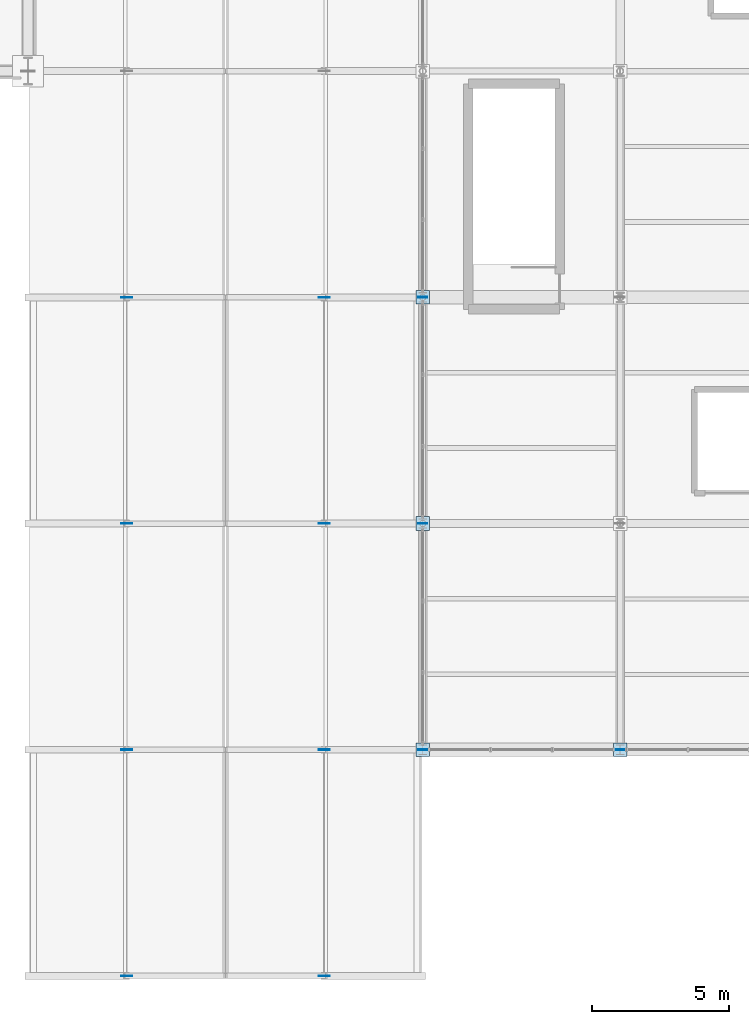
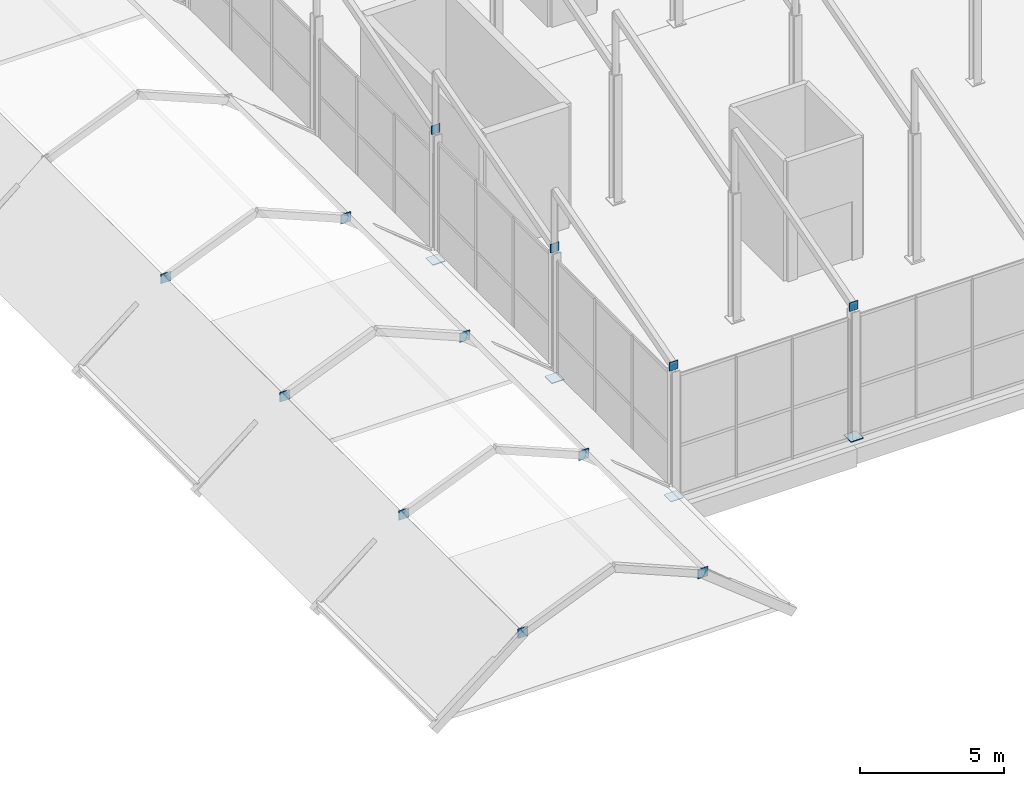
# One storey, part 108 of 141: 16 plates.
"""IFC4 building model written with IfcOpenShell, lengths in metres."""

from ifc_helpers import new_model, si_unit, direction, frame, origin, origin_2d, place, context, subcontext, project, spatial, rectangle, extrude, material, layer, layer_set, type_object, element, save


model = new_model("IFC4")

# Units and contexts
model_context = context("Model", 3, precision=1e-05, world=origin(), true_north=direction((0.0, 1.0)))
body_context = subcontext(model_context, "Body", "Model", "MODEL_VIEW")
ifc_project = project(units=[si_unit("LENGTHUNIT", "METRE"), si_unit("AREAUNIT", "SQUARE_METRE"), si_unit("VOLUMEUNIT", "CUBIC_METRE"), si_unit("PLANEANGLEUNIT", "RADIAN"), si_unit("MASSUNIT", "GRAM", prefix="KILO")], contexts=[model_context])

# Site, building, storey
site_placement = place(None, origin())
site = spatial("IfcSite", under=ifc_project, at=site_placement, CompositionType="ELEMENT")
building_placement = place(site_placement, origin())
building = spatial("IfcBuilding", under=site, at=building_placement, Name="Sundgate Opera House", CompositionType="ELEMENT")
storey_placement = place(building_placement, frame((0.0, 0.0, 11.39990234375)))
storey = spatial("IfcBuildingStorey", under=building, at=storey_placement, Name="L02", CompositionType="ELEMENT", Elevation=11.39990234375)

# Plates
ifc_material_1 = material(Name="Steel S355J2", Category="steel")
ifc_layer_1 = layer(ifc_material_1, 0.02587890625)
ifc_layer_set_1 = layer_set([ifc_layer_1], Name="Steel S355J2")
plate_type_1 = type_object("IfcPlateType", Name="PT-BAS-26", PredefinedType="USERDEFINED", material=ifc_layer_set_1)
plate_1_placement = place(storey_placement, frame((95.39990234375, 8.25, 0.000244140625), z_axis=(0.0, 0.0, 1.0), x_axis=(1.0, 0.0, 0.0)))
element("IfcPlate", 1, at=plate_1_placement, inside=storey, type_object=plate_type_1, Name="L02 Base Plate PT0214", ObjectType="BASE PLATE", PredefinedType="USERDEFINED", context=body_context, shape_type="SweptSolid", body=[
    extrude(rectangle(XDim=0.5, YDim=0.5, at=origin_2d()), origin(), (0.0, 0.0, 1.0), 0.02587890625),
])
for number, where, z_axis, x_axis, name in (
    (2, (95.39990234375, 8.25, 5.3701171875), (0.0, 0.0, 1.0), (1.0, 0.0, 0.0), "Sawtooth Rafter End Cap PT0792"),
    (3, (102.60009765625, 8.25, 5.3701171875), (0.0, 0.0, 1.0), (1.0, 0.0, 0.0), "Sawtooth Rafter End Cap PT0794"),
    (4, (95.39990234375, 16.5, 5.3701171875), (0.0, 0.0, 1.0), (1.0, 0.0, 0.0), "Sawtooth Rafter End Cap PT0810"),
    (5, (95.39990234375, 24.75, 5.3701171875), (0.0, 0.0, 1.0), (1.0, 0.0, 0.0), "Sawtooth Rafter End Cap PT0828"),
):
    element("IfcPlate", number, at=place(storey_placement, frame(where, z_axis=z_axis, x_axis=x_axis)), inside=storey, type_object=plate_type_1, Name=name, ObjectType="BASE PLATE", PredefinedType="USERDEFINED", context=body_context, shape_type="SweptSolid", body=[
        extrude(rectangle(XDim=0.340087890625, YDim=0.02587890625, at=origin_2d()), origin(), (0.0, 0.0, 1.0), 0.360107421875),
    ])
ifc_material_2 = material(Name="Steel S355J2", Category="steel")
ifc_layer_2 = layer(ifc_material_2, 0.033935546875)
ifc_layer_set_2 = layer_set([ifc_layer_2], Name="Steel S355J2")
plate_type_2 = type_object("IfcPlateType", Name="PT-BAS-34", PredefinedType="USERDEFINED", material=ifc_layer_set_2)
plate_2_placement = place(storey_placement, frame((95.39990234375, 16.5, 0.0), z_axis=(0.0, 0.0, 1.0), x_axis=(1.0, 0.0, 0.0)))
element("IfcPlate", 6, at=plate_2_placement, inside=storey, type_object=plate_type_2, Name="L02 Base Plate PT0217", ObjectType="BASE PLATE", PredefinedType="USERDEFINED", context=body_context, shape_type="SweptSolid", body=[
    extrude(rectangle(XDim=0.5, YDim=0.5, at=origin_2d()), origin(), (0.0, 0.0, 1.0), 0.033935546875),
])
ifc_material_3 = material(Name="Steel S355J2", Category="steel")
ifc_layer_3 = layer(ifc_material_3, 0.035888671875)
ifc_layer_set_3 = layer_set([ifc_layer_3], Name="Steel S355J2")
plate_type_3 = type_object("IfcPlateType", Name="PT-BAS-36", PredefinedType="USERDEFINED", material=ifc_layer_set_3)
for number, where, z_axis, x_axis, name in (
    (7, (95.39990234375, 24.75, 0.0), (0.0, 0.0, 1.0), (1.0, 0.0, 0.0), "L02 Base Plate PT0220"),
    (8, (102.60009765625, 8.25, 0.0), (0.0, 0.0, 1.0), (1.0, 0.0, 0.0), "L02 Base Plate PT0236"),
):
    element("IfcPlate", number, at=place(storey_placement, frame(where, z_axis=z_axis, x_axis=x_axis)), inside=storey, type_object=plate_type_3, Name=name, ObjectType="BASE PLATE", PredefinedType="USERDEFINED", context=body_context, shape_type="SweptSolid", body=[
        extrude(rectangle(XDim=0.5, YDim=0.5, at=origin_2d()), origin(), (0.0, 0.0, 1.0), 0.035888671875),
    ])
ifc_material_4 = material(Name="Steel S355J2", Category="steel")
ifc_layer_4 = layer(ifc_material_4, 0.02197265625)
ifc_layer_set_4 = layer_set([ifc_layer_4], Name="Steel S355J2")
plate_type_4 = type_object("IfcPlateType", Name="PT-GUS-22", PredefinedType="USERDEFINED", material=ifc_layer_set_4)
for number, where, z_axis, x_axis, name in (
    (9, (84.60009765625, 0.0, 2.85009765625), (0.0, 0.0, 1.0), (1.0, 0.0, 0.0), "Passage Strut Top Gusset"),
    (10, (91.800048828125, 0.0, 2.85009765625), (0.0, 0.0, 1.0), (1.0, 0.0, 0.0), "Passage Strut Top Gusset"),
    (11, (84.60009765625, 8.25, 2.85009765625), (0.0, 0.0, 1.0), (1.0, 0.0, 0.0), "Passage Strut Top Gusset"),
    (12, (91.800048828125, 8.25, 2.85009765625), (0.0, 0.0, 1.0), (1.0, 0.0, 0.0), "Passage Strut Top Gusset"),
    (13, (84.60009765625, 16.5, 2.85009765625), (0.0, 0.0, 1.0), (1.0, 0.0, 0.0), "Passage Strut Top Gusset"),
    (14, (91.800048828125, 16.5, 2.85009765625), (0.0, 0.0, 1.0), (1.0, 0.0, 0.0), "Passage Strut Top Gusset"),
    (15, (84.60009765625, 24.75, 2.85009765625), (0.0, 0.0, 1.0), (1.0, 0.0, 0.0), "Passage Strut Top Gusset"),
    (16, (91.800048828125, 24.75, 2.85009765625), (0.0, 0.0, 1.0), (1.0, 0.0, 0.0), "Passage Strut Top Gusset"),
):
    element("IfcPlate", number, at=place(storey_placement, frame(where, z_axis=z_axis, x_axis=x_axis)), inside=storey, type_object=plate_type_4, Name=name, ObjectType="GUSSET PLATE", PredefinedType="USERDEFINED", context=body_context, shape_type="SweptSolid", body=[
        extrude(rectangle(XDim=0.39990234375, YDim=0.02197265625, at=origin_2d()), origin(), (0.0, 0.0, 1.0), 0.39990234375),
    ])

save(model, "model.ifc")
